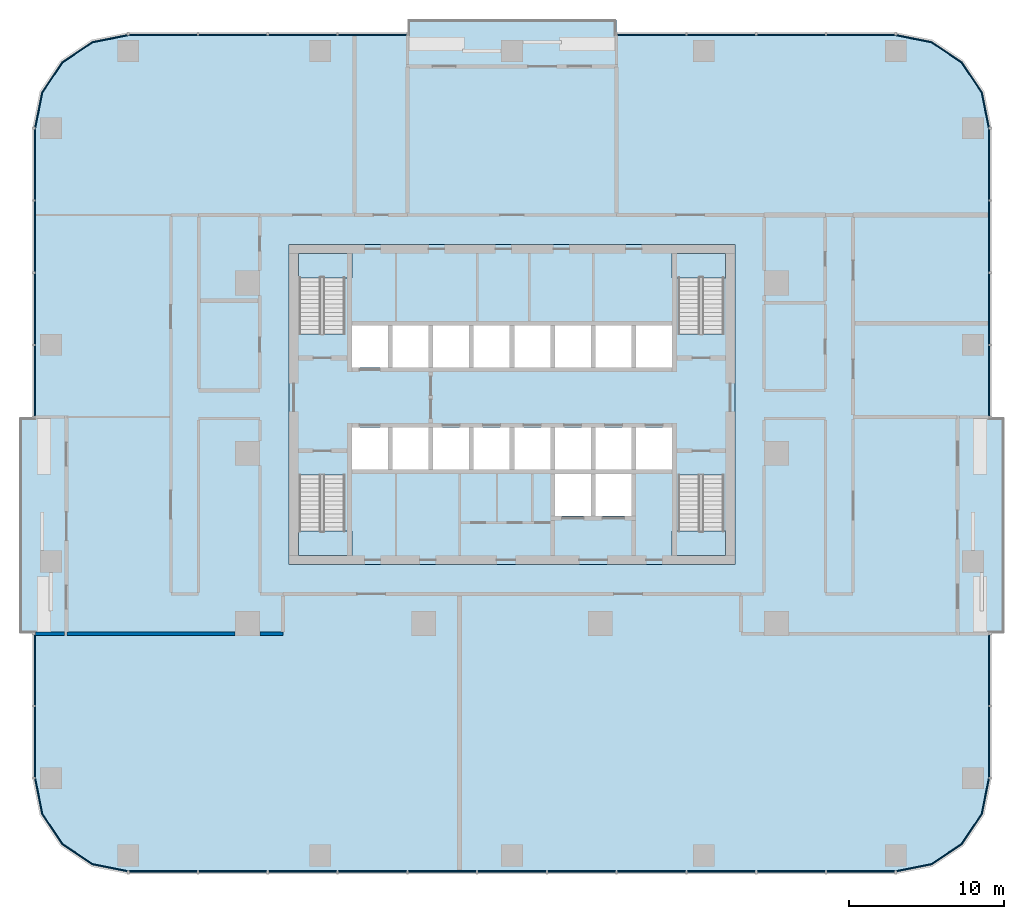
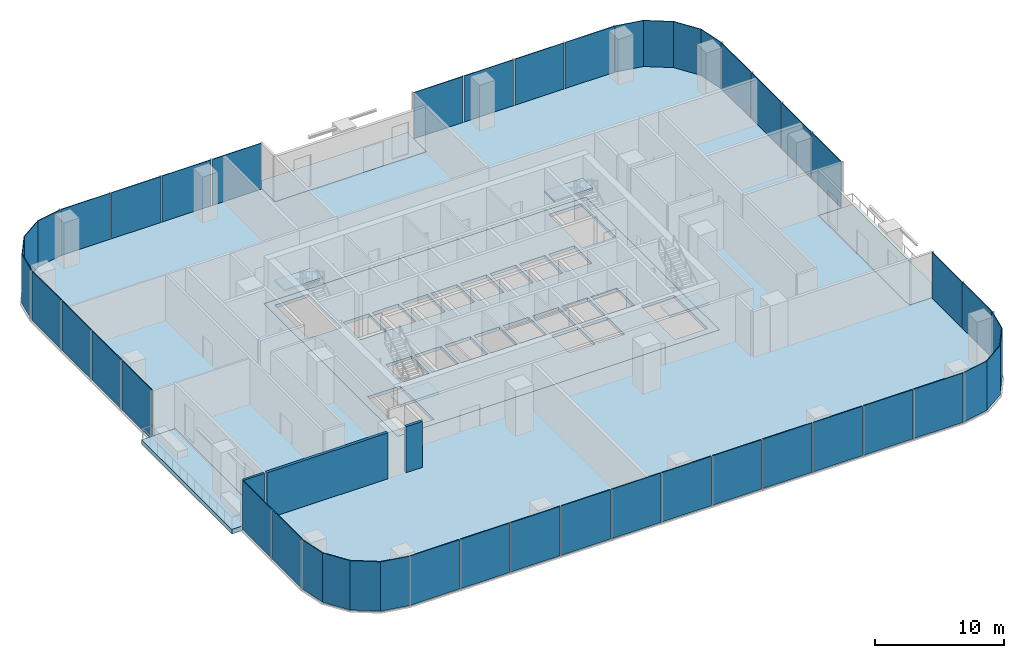
# One storey, part 6 of 14: 35 plates, 9 slabs, 3 walls, 15 elements without a shape of their own.
"""IFC4 building model written with IfcOpenShell, lengths in metres."""

from ifc_helpers import new_model, si_unit, direction, frame, frame_2d, origin, origin_2d, place, context, subcontext, project, spatial, polyline, rectangle, outline, extrude, material, layer, layer_set, type_object, element, aggregate, save


model = new_model("IFC4")

# Units and contexts
model_context = context("Model", 3, precision=1e-05, world=origin(), true_north=direction((0.0, 1.0)))
body_context = subcontext(model_context, "Body", "Model", "MODEL_VIEW")
ifc_project = project(units=[si_unit("LENGTHUNIT", "METRE"), si_unit("AREAUNIT", "SQUARE_METRE"), si_unit("VOLUMEUNIT", "CUBIC_METRE"), si_unit("PLANEANGLEUNIT", "RADIAN"), si_unit("MASSUNIT", "GRAM", prefix="KILO")], contexts=[model_context])

# Site, building, storey
site_placement = place(None, origin())
site = spatial("IfcSite", under=ifc_project, at=site_placement, CompositionType="ELEMENT")
building_placement = place(site_placement, origin())
building = spatial("IfcBuilding", under=site, at=building_placement, Name="Mopane Tessera Tower", CompositionType="ELEMENT")
storey_placement = place(building_placement, frame((0.0, 0.0, 50.199951171875)))
storey = spatial("IfcBuildingStorey", under=building, at=storey_placement, Name="L09", CompositionType="ELEMENT", Elevation=50.199951171875)

# Slab
ifc_material_1 = material(Name="Concrete C40/50", Category="concrete")
ifc_layer_1 = layer(ifc_material_1, 0.300048828125)
ifc_layer_set_1 = layer_set([ifc_layer_1], Name="Concrete C40/50")
slab_type_1 = type_object("IfcSlabType", Name="Core floor slab 300 mm", PredefinedType="FLOOR", material=ifc_layer_set_1)
slab_1_placement = place(storey_placement, frame((0.0, 0.0, -0.300048828125)))
element("IfcSlab", 1, at=slab_1_placement, inside=storey, type_object=slab_type_1, Name="L09 core floor slab", PredefinedType="FLOOR", context=body_context, shape_type="SweptSolid", body=[
    extrude(outline(polyline([(-14.39990234375, -7.199951171875), (14.39990234375, -7.199951171875), (14.39990234375, 13.5), (-14.39990234375, 13.5), (-14.39990234375, -7.199951171875)]), holes=[polyline([(-10.35009765625, -1.050048828125), (-8.02490234375, -1.050048828125), (-8.02490234375, 1.64990234375), (-10.35009765625, 1.64990234375), (-10.35009765625, -1.050048828125)]), polyline([(-7.72509765625, -1.050048828125), (-5.39990234375, -1.050048828125), (-5.39990234375, 1.64990234375), (-7.72509765625, 1.64990234375), (-7.72509765625, -1.050048828125)]), polyline([(-5.10009765625, -1.050048828125), (-2.77490234375, -1.050048828125), (-2.77490234375, 1.64990234375), (-5.10009765625, 1.64990234375), (-5.10009765625, -1.050048828125)]), polyline([(-2.47509765625, -1.050048828125), (-0.14990234375, -1.050048828125), (-0.14990234375, 1.64990234375), (-2.47509765625, 1.64990234375), (-2.47509765625, -1.050048828125)]), polyline([(0.14990234375, -1.050048828125), (2.47509765625, -1.050048828125), (2.47509765625, 1.64990234375), (0.14990234375, 1.64990234375), (0.14990234375, -1.050048828125)]), polyline([(2.77490234375, -1.050048828125), (5.10009765625, -1.050048828125), (5.10009765625, 1.64990234375), (2.77490234375, 1.64990234375), (2.77490234375, -1.050048828125)]), polyline([(5.39990234375, -1.050048828125), (7.72509765625, -1.050048828125), (7.72509765625, 1.64990234375), (5.39990234375, 1.64990234375), (5.39990234375, -1.050048828125)]), polyline([(8.02490234375, -1.050048828125), (10.35009765625, -1.050048828125), (10.35009765625, 1.64990234375), (8.02490234375, 1.64990234375), (8.02490234375, -1.050048828125)]), polyline([(-10.35009765625, 5.550048828125), (-8.02490234375, 5.550048828125), (-8.02490234375, 8.25), (-10.35009765625, 8.25), (-10.35009765625, 5.550048828125)]), polyline([(-7.72509765625, 5.550048828125), (-5.39990234375, 5.550048828125), (-5.39990234375, 8.25), (-7.72509765625, 8.25), (-7.72509765625, 5.550048828125)]), polyline([(-5.10009765625, 5.550048828125), (-2.77490234375, 5.550048828125), (-2.77490234375, 8.25), (-5.10009765625, 8.25), (-5.10009765625, 5.550048828125)]), polyline([(-2.47509765625, 5.550048828125), (-0.14990234375, 5.550048828125), (-0.14990234375, 8.25), (-2.47509765625, 8.25), (-2.47509765625, 5.550048828125)]), polyline([(0.14990234375, 5.550048828125), (2.47509765625, 5.550048828125), (2.47509765625, 8.25), (0.14990234375, 8.25), (0.14990234375, 5.550048828125)]), polyline([(2.77490234375, 5.550048828125), (5.10009765625, 5.550048828125), (5.10009765625, 8.25), (2.77490234375, 8.25), (2.77490234375, 5.550048828125)]), polyline([(5.39990234375, 5.550048828125), (7.72509765625, 5.550048828125), (7.72509765625, 8.25), (5.39990234375, 8.25), (5.39990234375, 5.550048828125)]), polyline([(8.02490234375, 5.550048828125), (10.35009765625, 5.550048828125), (10.35009765625, 8.25), (8.02490234375, 8.25), (8.02490234375, 5.550048828125)]), polyline([(2.77490234375, -4.050048828125), (5.10009765625, -4.050048828125), (5.10009765625, -1.35009765625), (2.77490234375, -1.35009765625), (2.77490234375, -4.050048828125)]), polyline([(5.39990234375, -4.050048828125), (7.72509765625, -4.050048828125), (7.72509765625, -1.35009765625), (5.39990234375, -1.35009765625), (5.39990234375, -4.050048828125)]), polyline([(-13.75, -1.405029296875), (-13.75, -6.60009765625), (-10.800048828125, -6.60009765625), (-10.800048828125, -1.405029296875), (-13.75, -1.405029296875)]), polyline([(-10.800048828125, 7.705078125), (-10.800048828125, 12.89990234375), (-13.75, 12.89990234375), (-13.75, 7.705078125), (-10.800048828125, 7.705078125)]), polyline([(10.75, -1.405029296875), (10.75, -6.60009765625), (13.699951171875, -6.60009765625), (13.699951171875, -1.405029296875), (10.75, -1.405029296875)]), polyline([(13.699951171875, 7.705078125), (13.699951171875, 12.89990234375), (10.75, 12.89990234375), (10.75, 7.705078125), (13.699951171875, 7.705078125)])]), origin(), (0.0, 0.0, 1.0), 0.300048828125),
])

# Stair, slab
ifc_material_2 = material(Name="Concrete C50/60", Category="concrete")
stair_type = type_object("IfcStairType", Name="Escape stair 1400 mm, riser 171 mm", PredefinedType="HALF_TURN_STAIR", material=ifc_material_2)
stair_1_placement = place(storey_placement, origin())
stair_1 = element("IfcStair", 2, at=stair_1_placement, inside=storey, type_object=stair_type, Name="L09 Escape stair south-west", PredefinedType="HALF_TURN_STAIR")
ifc_material_3 = material(Name="Concrete C50/60", Category="concrete")
ifc_layer_2 = layer(ifc_material_3, 0.199951171875)
ifc_layer_set_2 = layer_set([ifc_layer_2], Name="Concrete C50/60")
slab_type_2 = type_object("IfcSlabType", Name="Escape stair landing 200 mm", PredefinedType="LANDING", material=ifc_layer_set_2)
slab_2_placement = place(storey_placement, frame((0.0, 0.0, 2.199951171875)))
slab_2 = element("IfcSlab", 3, at=slab_2_placement, type_object=slab_type_2, Name="ST1 landing 1", PredefinedType="LANDING", context=body_context, shape_type="SweptSolid", body=[
    extrude(outline(polyline([(-13.800048828125, -5.0400390625), (-13.800048828125, -6.60009765625), (-10.35009765625, -6.60009765625), (-10.35009765625, -5.0400390625), (-13.800048828125, -5.0400390625)])), origin(), (0.0, 0.0, 1.0), 0.2001953125),
])
aggregate(stair_1, [slab_2])

stair_2_placement = place(storey_placement, origin())
stair_2 = element("IfcStair", 4, at=stair_2_placement, inside=storey, type_object=stair_type, Name="L09 Escape stair north-west", PredefinedType="HALF_TURN_STAIR")
slab_3_placement = place(storey_placement, frame((0.0, 0.0, 2.199951171875)))
slab_3 = element("IfcSlab", 5, at=slab_3_placement, type_object=slab_type_2, Name="ST2 landing 1", PredefinedType="LANDING", context=body_context, shape_type="SweptSolid", body=[
    extrude(outline(polyline([(-10.35009765625, 11.340087890625), (-10.35009765625, 12.89990234375), (-13.800048828125, 12.89990234375), (-13.800048828125, 11.340087890625), (-10.35009765625, 11.340087890625)])), origin(), (0.0, 0.0, 1.0), 0.2001953125),
])
aggregate(stair_2, [slab_3])

stair_3_placement = place(storey_placement, origin())
stair_3 = element("IfcStair", 6, at=stair_3_placement, inside=storey, type_object=stair_type, Name="L09 Escape stair south-east", PredefinedType="HALF_TURN_STAIR")
slab_4_placement = place(storey_placement, frame((0.0, 0.0, 2.199951171875)))
slab_4 = element("IfcSlab", 7, at=slab_4_placement, type_object=slab_type_2, Name="ST3 landing 1", PredefinedType="LANDING", context=body_context, shape_type="SweptSolid", body=[
    extrude(outline(polyline([(10.35009765625, -5.0400390625), (10.35009765625, -6.60009765625), (13.800048828125, -6.60009765625), (13.800048828125, -5.0400390625), (10.35009765625, -5.0400390625)])), origin(), (0.0, 0.0, 1.0), 0.2001953125),
])
aggregate(stair_3, [slab_4])

stair_4_placement = place(storey_placement, origin())
stair_4 = element("IfcStair", 8, at=stair_4_placement, inside=storey, type_object=stair_type, Name="L09 Escape stair north-east", PredefinedType="HALF_TURN_STAIR")
slab_5_placement = place(storey_placement, frame((0.0, 0.0, 2.199951171875)))
slab_5 = element("IfcSlab", 9, at=slab_5_placement, type_object=slab_type_2, Name="ST4 landing 1", PredefinedType="LANDING", context=body_context, shape_type="SweptSolid", body=[
    extrude(outline(polyline([(13.800048828125, 11.340087890625), (13.800048828125, 12.89990234375), (10.35009765625, 12.89990234375), (10.35009765625, 11.340087890625), (13.800048828125, 11.340087890625)])), origin(), (0.0, 0.0, 1.0), 0.2001953125),
])
aggregate(stair_4, [slab_5])

# Curtain wall, plates
ifc_material_4 = material(Name="Aluminium frame", Category="aluminium")
curtain_wall_type = type_object("IfcCurtainWallType", Name="Lower tower unitised wall", PredefinedType="NOTDEFINED", material=ifc_material_4)
curtain_wall_1_placement = place(storey_placement, origin())
curtain_wall_1 = element("IfcCurtainWall", 10, at=curtain_wall_1_placement, inside=storey, type_object=curtain_wall_type, Name="e:cw:L09:S:0", PredefinedType="NOTDEFINED")
ifc_material_5 = material(Name="Clear laminated glass", Category="glass")
ifc_layer_3 = layer(ifc_material_5, 0.070068359375)
ifc_layer_set_3 = layer_set([ifc_layer_3], Name="Clear laminated glass")
plate_type = type_object("IfcPlateType", Name="Laminated glazed unit 70", PredefinedType="CURTAIN_PANEL", material=ifc_layer_set_3)
plate_1_placement = place(storey_placement, frame((-22.54541015625, -27.034912109375, -0.31005859375), z_axis=(0.0, 0.0, 1.0), x_axis=(1.0, 0.0, 0.0)))
plate_1 = element("IfcPlate", 11, at=plate_1_placement, type_object=plate_type, Name="e:cw:L09:S:0:pn0", PredefinedType="CURTAIN_PANEL", context=body_context, shape_type="SweptSolid", body=[
    extrude(rectangle(XDim=4.399169921875, YDim=0.070068359375, at=origin_2d()), origin(), (0.0, 0.0, 1.0), 4.659912109375),
])
plate_2_placement = place(storey_placement, frame((-18.036376953125, -27.034912109375, -0.31005859375), z_axis=(0.0, 0.0, 1.0), x_axis=(1.0, 0.0, 0.0)))
plate_2 = element("IfcPlate", 12, at=plate_2_placement, type_object=plate_type, Name="e:cw:L09:S:0:pn1", PredefinedType="CURTAIN_PANEL", context=body_context, shape_type="SweptSolid", body=[
    extrude(rectangle(XDim=4.399169921875, YDim=0.070068359375, at=origin_2d()), origin(), (0.0, 0.0, 1.0), 4.659912109375),
])
plate_3_placement = place(storey_placement, frame((-13.52734375, -27.034912109375, -0.31005859375), z_axis=(0.0, 0.0, 1.0), x_axis=(1.0, 0.0, 0.0)))
plate_3 = element("IfcPlate", 13, at=plate_3_placement, type_object=plate_type, Name="e:cw:L09:S:0:pn2", PredefinedType="CURTAIN_PANEL", context=body_context, shape_type="SweptSolid", body=[
    extrude(rectangle(XDim=4.399169921875, YDim=0.070068359375, at=origin_2d()), origin(), (0.0, 0.0, 1.0), 4.659912109375),
])
plate_4_placement = place(storey_placement, frame((-9.01806640625, -27.034912109375, -0.31005859375), z_axis=(0.0, 0.0, 1.0), x_axis=(1.0, 0.0, 0.0)))
plate_4 = element("IfcPlate", 14, at=plate_4_placement, type_object=plate_type, Name="e:cw:L09:S:0:pn3", PredefinedType="CURTAIN_PANEL", context=body_context, shape_type="SweptSolid", body=[
    extrude(rectangle(XDim=4.399169921875, YDim=0.070068359375, at=origin_2d()), origin(), (0.0, 0.0, 1.0), 4.659912109375),
])
plate_5_placement = place(storey_placement, frame((-4.509033203125, -27.034912109375, -0.31005859375), z_axis=(0.0, 0.0, 1.0), x_axis=(1.0, 0.0, 0.0)))
plate_5 = element("IfcPlate", 15, at=plate_5_placement, type_object=plate_type, Name="e:cw:L09:S:0:pn4", PredefinedType="CURTAIN_PANEL", context=body_context, shape_type="SweptSolid", body=[
    extrude(rectangle(XDim=4.399169921875, YDim=0.070068359375, at=origin_2d()), origin(), (0.0, 0.0, 1.0), 4.659912109375),
])
plate_6_placement = place(storey_placement, frame((0.0, -27.034912109375, -0.31005859375), z_axis=(0.0, 0.0, 1.0), x_axis=(1.0, 0.0, 0.0)))
plate_6 = element("IfcPlate", 16, at=plate_6_placement, type_object=plate_type, Name="e:cw:L09:S:0:pn5", PredefinedType="CURTAIN_PANEL", context=body_context, shape_type="SweptSolid", body=[
    extrude(rectangle(XDim=4.399169921875, YDim=0.070068359375, at=origin_2d()), origin(), (0.0, 0.0, 1.0), 4.659912109375),
])
plate_7_placement = place(storey_placement, frame((4.509033203125, -27.034912109375, -0.31005859375), z_axis=(0.0, 0.0, 1.0), x_axis=(1.0, 0.0, 0.0)))
plate_7 = element("IfcPlate", 17, at=plate_7_placement, type_object=plate_type, Name="e:cw:L09:S:0:pn6", PredefinedType="CURTAIN_PANEL", context=body_context, shape_type="SweptSolid", body=[
    extrude(rectangle(XDim=4.399169921875, YDim=0.070068359375, at=origin_2d()), origin(), (0.0, 0.0, 1.0), 4.659912109375),
])
plate_8_placement = place(storey_placement, frame((9.01806640625, -27.034912109375, -0.31005859375), z_axis=(0.0, 0.0, 1.0), x_axis=(1.0, 0.0, 0.0)))
plate_8 = element("IfcPlate", 18, at=plate_8_placement, type_object=plate_type, Name="e:cw:L09:S:0:pn7", PredefinedType="CURTAIN_PANEL", context=body_context, shape_type="SweptSolid", body=[
    extrude(rectangle(XDim=4.399169921875, YDim=0.070068359375, at=origin_2d()), origin(), (0.0, 0.0, 1.0), 4.659912109375),
])
plate_9_placement = place(storey_placement, frame((13.52734375, -27.034912109375, -0.31005859375), z_axis=(0.0, 0.0, 1.0), x_axis=(1.0, 0.0, 0.0)))
plate_9 = element("IfcPlate", 19, at=plate_9_placement, type_object=plate_type, Name="e:cw:L09:S:0:pn8", PredefinedType="CURTAIN_PANEL", context=body_context, shape_type="SweptSolid", body=[
    extrude(rectangle(XDim=4.399169921875, YDim=0.070068359375, at=origin_2d()), origin(), (0.0, 0.0, 1.0), 4.659912109375),
])
plate_10_placement = place(storey_placement, frame((18.036376953125, -27.034912109375, -0.31005859375), z_axis=(0.0, 0.0, 1.0), x_axis=(1.0, 0.0, 0.0)))
plate_10 = element("IfcPlate", 20, at=plate_10_placement, type_object=plate_type, Name="e:cw:L09:S:0:pn9", PredefinedType="CURTAIN_PANEL", context=body_context, shape_type="SweptSolid", body=[
    extrude(rectangle(XDim=4.399169921875, YDim=0.070068359375, at=origin_2d()), origin(), (0.0, 0.0, 1.0), 4.659912109375),
])
plate_11_placement = place(storey_placement, frame((22.54541015625, -27.034912109375, -0.31005859375), z_axis=(0.0, 0.0, 1.0), x_axis=(1.0, 0.0, 0.0)))
plate_11 = element("IfcPlate", 21, at=plate_11_placement, type_object=plate_type, Name="e:cw:L09:S:0:pn10", PredefinedType="CURTAIN_PANEL", context=body_context, shape_type="SweptSolid", body=[
    extrude(rectangle(XDim=4.399169921875, YDim=0.070068359375, at=origin_2d()), origin(), (0.0, 0.0, 1.0), 4.659912109375),
])
aggregate(curtain_wall_1, [plate_1, plate_2, plate_3, plate_4, plate_5, plate_6, plate_7, plate_8, plate_9, plate_10, plate_11])

# Curtain wall, plate
curtain_wall_2_placement = place(storey_placement, origin())
curtain_wall_2 = element("IfcCurtainWall", 22, at=curtain_wall_2_placement, inside=storey, type_object=curtain_wall_type, Name="e:cw:L09:CS", PredefinedType="NOTDEFINED")
plate_12_placement = place(storey_placement, frame((0.0, 0.0, -0.31005859375)))
plate_12 = element("IfcPlate", 23, at=plate_12_placement, type_object=plate_type, Name="e:cw:L09:CS:pn", PredefinedType="CURTAIN_PANEL", context=body_context, shape_type="SweptSolid", body=[
    extrude(outline(polyline([(24.800048828125, -27.0), (27.09619140625, -26.543212890625), (29.042724609375, -25.24267578125), (30.34326171875, -23.296142578125), (30.800048828125, -21.0), (30.8701171875, -21.0), (30.407958984375, -23.322998046875), (29.092041015625, -25.292236328125), (27.122802734375, -26.60791015625), (24.800048828125, -27.070068359375), (24.800048828125, -27.0)])), origin(), (0.0, 0.0, 1.0), 4.66015625),
])
aggregate(curtain_wall_2, [plate_12])

# Curtain wall, plates
curtain_wall_3_placement = place(storey_placement, origin())
curtain_wall_3 = element("IfcCurtainWall", 24, at=curtain_wall_3_placement, inside=storey, type_object=curtain_wall_type, Name="e:cw:L09:E:0", PredefinedType="NOTDEFINED")
plate_13_placement = place(storey_placement, frame((30.8349609375, -18.666748046875, -0.31005859375), z_axis=(0.0, 0.0, 1.0), x_axis=(0.0, 1.0, 0.0)))
plate_13 = element("IfcPlate", 25, at=plate_13_placement, type_object=plate_type, Name="e:cw:L09:E:0:pn0", PredefinedType="CURTAIN_PANEL", context=body_context, shape_type="SweptSolid", body=[
    extrude(rectangle(XDim=4.556640625, YDim=0.070068359375, at=origin_2d()), origin(), (0.0, 0.0, 1.0), 4.659912109375),
])
plate_14_placement = place(storey_placement, frame((30.8349609375, -14.0, -0.31005859375), z_axis=(0.0, 0.0, 1.0), x_axis=(0.0, 1.0, 0.0)))
plate_14 = element("IfcPlate", 26, at=plate_14_placement, type_object=plate_type, Name="e:cw:L09:E:0:pn1", PredefinedType="CURTAIN_PANEL", context=body_context, shape_type="SweptSolid", body=[
    extrude(rectangle(XDim=4.556640625, YDim=0.070068359375, at=origin_2d()), origin(), (0.0, 0.0, 1.0), 4.659912109375),
])
aggregate(curtain_wall_3, [plate_13, plate_14])

curtain_wall_4_placement = place(storey_placement, origin())
curtain_wall_4 = element("IfcCurtainWall", 27, at=curtain_wall_4_placement, inside=storey, type_object=curtain_wall_type, Name="e:cw:L09:E:5", PredefinedType="NOTDEFINED")
plate_15_placement = place(storey_placement, frame((30.8349609375, 4.666748046875, -0.31005859375), z_axis=(0.0, 0.0, 1.0), x_axis=(0.0, 1.0, 0.0)))
plate_15 = element("IfcPlate", 28, at=plate_15_placement, type_object=plate_type, Name="e:cw:L09:E:5:pn5", PredefinedType="CURTAIN_PANEL", context=body_context, shape_type="SweptSolid", body=[
    extrude(rectangle(XDim=4.556640625, YDim=0.070068359375, at=origin_2d()), origin(), (0.0, 0.0, 1.0), 4.659912109375),
])
plate_16_placement = place(storey_placement, frame((30.8349609375, 9.333251953125, -0.31005859375), z_axis=(0.0, 0.0, 1.0), x_axis=(0.0, 1.0, 0.0)))
plate_16 = element("IfcPlate", 29, at=plate_16_placement, type_object=plate_type, Name="e:cw:L09:E:5:pn6", PredefinedType="CURTAIN_PANEL", context=body_context, shape_type="SweptSolid", body=[
    extrude(rectangle(XDim=4.556640625, YDim=0.070068359375, at=origin_2d()), origin(), (0.0, 0.0, 1.0), 4.659912109375),
])
plate_17_placement = place(storey_placement, frame((30.8349609375, 14.0, -0.31005859375), z_axis=(0.0, 0.0, 1.0), x_axis=(0.0, 1.0, 0.0)))
plate_17 = element("IfcPlate", 30, at=plate_17_placement, type_object=plate_type, Name="e:cw:L09:E:5:pn7", PredefinedType="CURTAIN_PANEL", context=body_context, shape_type="SweptSolid", body=[
    extrude(rectangle(XDim=4.556640625, YDim=0.070068359375, at=origin_2d()), origin(), (0.0, 0.0, 1.0), 4.659912109375),
])
plate_18_placement = place(storey_placement, frame((30.8349609375, 18.666748046875, -0.31005859375), z_axis=(0.0, 0.0, 1.0), x_axis=(0.0, 1.0, 0.0)))
plate_18 = element("IfcPlate", 31, at=plate_18_placement, type_object=plate_type, Name="e:cw:L09:E:5:pn8", PredefinedType="CURTAIN_PANEL", context=body_context, shape_type="SweptSolid", body=[
    extrude(rectangle(XDim=4.556640625, YDim=0.070068359375, at=origin_2d()), origin(), (0.0, 0.0, 1.0), 4.659912109375),
])
aggregate(curtain_wall_4, [plate_15, plate_16, plate_17, plate_18])

# Curtain wall, plate
curtain_wall_5_placement = place(storey_placement, origin())
curtain_wall_5 = element("IfcCurtainWall", 32, at=curtain_wall_5_placement, inside=storey, type_object=curtain_wall_type, Name="e:cw:L09:CE", PredefinedType="NOTDEFINED")
plate_19_placement = place(storey_placement, frame((0.0, 0.0, -0.31005859375)))
plate_19 = element("IfcPlate", 33, at=plate_19_placement, type_object=plate_type, Name="e:cw:L09:CE:pn", PredefinedType="CURTAIN_PANEL", context=body_context, shape_type="SweptSolid", body=[
    extrude(outline(polyline([(30.800048828125, 21.0), (30.34326171875, 23.296142578125), (29.042724609375, 25.24267578125), (27.09619140625, 26.543212890625), (24.800048828125, 27.0), (24.800048828125, 27.070068359375), (27.122802734375, 26.60791015625), (29.092041015625, 25.292236328125), (30.407958984375, 23.322998046875), (30.8701171875, 21.0), (30.800048828125, 21.0)])), origin(), (0.0, 0.0, 1.0), 4.66015625),
])
aggregate(curtain_wall_5, [plate_19])

# Curtain wall, plates
curtain_wall_6_placement = place(storey_placement, origin())
curtain_wall_6 = element("IfcCurtainWall", 34, at=curtain_wall_6_placement, inside=storey, type_object=curtain_wall_type, Name="e:cw:L09:N:0", PredefinedType="NOTDEFINED")
plate_20_placement = place(storey_placement, frame((22.54541015625, 27.034912109375, -0.31005859375), z_axis=(0.0, 0.0, 1.0), x_axis=(-1.0, 0.0, 0.0)))
plate_20 = element("IfcPlate", 35, at=plate_20_placement, type_object=plate_type, Name="e:cw:L09:N:0:pn0", PredefinedType="CURTAIN_PANEL", context=body_context, shape_type="SweptSolid", body=[
    extrude(rectangle(XDim=4.399169921875, YDim=0.070068359375, at=origin_2d()), origin(), (0.0, 0.0, 1.0), 4.659912109375),
])
plate_21_placement = place(storey_placement, frame((18.036376953125, 27.034912109375, -0.31005859375), z_axis=(0.0, 0.0, 1.0), x_axis=(-1.0, 0.0, 0.0)))
plate_21 = element("IfcPlate", 36, at=plate_21_placement, type_object=plate_type, Name="e:cw:L09:N:0:pn1", PredefinedType="CURTAIN_PANEL", context=body_context, shape_type="SweptSolid", body=[
    extrude(rectangle(XDim=4.399169921875, YDim=0.070068359375, at=origin_2d()), origin(), (0.0, 0.0, 1.0), 4.659912109375),
])
plate_22_placement = place(storey_placement, frame((13.52734375, 27.034912109375, -0.31005859375), z_axis=(0.0, 0.0, 1.0), x_axis=(-1.0, 0.0, 0.0)))
plate_22 = element("IfcPlate", 37, at=plate_22_placement, type_object=plate_type, Name="e:cw:L09:N:0:pn2", PredefinedType="CURTAIN_PANEL", context=body_context, shape_type="SweptSolid", body=[
    extrude(rectangle(XDim=4.399169921875, YDim=0.070068359375, at=origin_2d()), origin(), (0.0, 0.0, 1.0), 4.659912109375),
])
plate_23_placement = place(storey_placement, frame((9.01806640625, 27.034912109375, -0.31005859375), z_axis=(0.0, 0.0, 1.0), x_axis=(-1.0, 0.0, 0.0)))
plate_23 = element("IfcPlate", 38, at=plate_23_placement, type_object=plate_type, Name="e:cw:L09:N:0:pn3", PredefinedType="CURTAIN_PANEL", context=body_context, shape_type="SweptSolid", body=[
    extrude(rectangle(XDim=4.399169921875, YDim=0.070068359375, at=origin_2d()), origin(), (0.0, 0.0, 1.0), 4.659912109375),
])
aggregate(curtain_wall_6, [plate_20, plate_21, plate_22, plate_23])

curtain_wall_7_placement = place(storey_placement, origin())
curtain_wall_7 = element("IfcCurtainWall", 39, at=curtain_wall_7_placement, inside=storey, type_object=curtain_wall_type, Name="e:cw:L09:N:7", PredefinedType="NOTDEFINED")
plate_24_placement = place(storey_placement, frame((-9.01806640625, 27.034912109375, -0.31005859375), z_axis=(0.0, 0.0, 1.0), x_axis=(-1.0, 0.0, 0.0)))
plate_24 = element("IfcPlate", 40, at=plate_24_placement, type_object=plate_type, Name="e:cw:L09:N:7:pn7", PredefinedType="CURTAIN_PANEL", context=body_context, shape_type="SweptSolid", body=[
    extrude(rectangle(XDim=4.399169921875, YDim=0.070068359375, at=origin_2d()), origin(), (0.0, 0.0, 1.0), 4.659912109375),
])
plate_25_placement = place(storey_placement, frame((-13.52734375, 27.034912109375, -0.31005859375), z_axis=(0.0, 0.0, 1.0), x_axis=(-1.0, 0.0, 0.0)))
plate_25 = element("IfcPlate", 41, at=plate_25_placement, type_object=plate_type, Name="e:cw:L09:N:7:pn8", PredefinedType="CURTAIN_PANEL", context=body_context, shape_type="SweptSolid", body=[
    extrude(rectangle(XDim=4.399169921875, YDim=0.070068359375, at=origin_2d()), origin(), (0.0, 0.0, 1.0), 4.659912109375),
])
plate_26_placement = place(storey_placement, frame((-18.036376953125, 27.034912109375, -0.31005859375), z_axis=(0.0, 0.0, 1.0), x_axis=(-1.0, 0.0, 0.0)))
plate_26 = element("IfcPlate", 42, at=plate_26_placement, type_object=plate_type, Name="e:cw:L09:N:7:pn9", PredefinedType="CURTAIN_PANEL", context=body_context, shape_type="SweptSolid", body=[
    extrude(rectangle(XDim=4.399169921875, YDim=0.070068359375, at=origin_2d()), origin(), (0.0, 0.0, 1.0), 4.659912109375),
])
plate_27_placement = place(storey_placement, frame((-22.54541015625, 27.034912109375, -0.31005859375), z_axis=(0.0, 0.0, 1.0), x_axis=(-1.0, 0.0, 0.0)))
plate_27 = element("IfcPlate", 43, at=plate_27_placement, type_object=plate_type, Name="e:cw:L09:N:7:pn10", PredefinedType="CURTAIN_PANEL", context=body_context, shape_type="SweptSolid", body=[
    extrude(rectangle(XDim=4.399169921875, YDim=0.070068359375, at=origin_2d()), origin(), (0.0, 0.0, 1.0), 4.659912109375),
])
aggregate(curtain_wall_7, [plate_24, plate_25, plate_26, plate_27])

# Curtain wall, plate
curtain_wall_8_placement = place(storey_placement, origin())
curtain_wall_8 = element("IfcCurtainWall", 44, at=curtain_wall_8_placement, inside=storey, type_object=curtain_wall_type, Name="e:cw:L09:CN", PredefinedType="NOTDEFINED")
plate_28_placement = place(storey_placement, frame((0.0, 0.0, -0.31005859375)))
plate_28 = element("IfcPlate", 45, at=plate_28_placement, type_object=plate_type, Name="e:cw:L09:CN:pn", PredefinedType="CURTAIN_PANEL", context=body_context, shape_type="SweptSolid", body=[
    extrude(outline(polyline([(-24.800048828125, 27.0), (-27.09619140625, 26.543212890625), (-29.042724609375, 25.24267578125), (-30.34326171875, 23.296142578125), (-30.800048828125, 21.0), (-30.8701171875, 21.0), (-30.407958984375, 23.322998046875), (-29.092041015625, 25.292236328125), (-27.122802734375, 26.60791015625), (-24.800048828125, 27.070068359375), (-24.800048828125, 27.0)])), origin(), (0.0, 0.0, 1.0), 4.66015625),
])
aggregate(curtain_wall_8, [plate_28])

# Curtain wall, plates
curtain_wall_9_placement = place(storey_placement, origin())
curtain_wall_9 = element("IfcCurtainWall", 46, at=curtain_wall_9_placement, inside=storey, type_object=curtain_wall_type, Name="e:cw:L09:W:0", PredefinedType="NOTDEFINED")
plate_29_placement = place(storey_placement, frame((-30.8349609375, 18.666748046875, -0.31005859375), z_axis=(0.0, 0.0, 1.0), x_axis=(0.0, -1.0, 0.0)))
plate_29 = element("IfcPlate", 47, at=plate_29_placement, type_object=plate_type, Name="e:cw:L09:W:0:pn0", PredefinedType="CURTAIN_PANEL", context=body_context, shape_type="SweptSolid", body=[
    extrude(rectangle(XDim=4.556640625, YDim=0.070068359375, at=origin_2d()), origin(), (0.0, 0.0, 1.0), 4.659912109375),
])
plate_30_placement = place(storey_placement, frame((-30.8349609375, 14.0, -0.31005859375), z_axis=(0.0, 0.0, 1.0), x_axis=(0.0, -1.0, 0.0)))
plate_30 = element("IfcPlate", 48, at=plate_30_placement, type_object=plate_type, Name="e:cw:L09:W:0:pn1", PredefinedType="CURTAIN_PANEL", context=body_context, shape_type="SweptSolid", body=[
    extrude(rectangle(XDim=4.556640625, YDim=0.070068359375, at=origin_2d()), origin(), (0.0, 0.0, 1.0), 4.659912109375),
])
plate_31_placement = place(storey_placement, frame((-30.8349609375, 9.333251953125, -0.31005859375), z_axis=(0.0, 0.0, 1.0), x_axis=(0.0, -1.0, 0.0)))
plate_31 = element("IfcPlate", 49, at=plate_31_placement, type_object=plate_type, Name="e:cw:L09:W:0:pn2", PredefinedType="CURTAIN_PANEL", context=body_context, shape_type="SweptSolid", body=[
    extrude(rectangle(XDim=4.556640625, YDim=0.070068359375, at=origin_2d()), origin(), (0.0, 0.0, 1.0), 4.659912109375),
])
plate_32_placement = place(storey_placement, frame((-30.8349609375, 4.666748046875, -0.31005859375), z_axis=(0.0, 0.0, 1.0), x_axis=(0.0, -1.0, 0.0)))
plate_32 = element("IfcPlate", 50, at=plate_32_placement, type_object=plate_type, Name="e:cw:L09:W:0:pn3", PredefinedType="CURTAIN_PANEL", context=body_context, shape_type="SweptSolid", body=[
    extrude(rectangle(XDim=4.556640625, YDim=0.070068359375, at=origin_2d()), origin(), (0.0, 0.0, 1.0), 4.659912109375),
])
aggregate(curtain_wall_9, [plate_29, plate_30, plate_31, plate_32])

curtain_wall_10_placement = place(storey_placement, origin())
curtain_wall_10 = element("IfcCurtainWall", 51, at=curtain_wall_10_placement, inside=storey, type_object=curtain_wall_type, Name="e:cw:L09:W:7", PredefinedType="NOTDEFINED")
plate_33_placement = place(storey_placement, frame((-30.8349609375, -14.0, -0.31005859375), z_axis=(0.0, 0.0, 1.0), x_axis=(0.0, -1.0, 0.0)))
plate_33 = element("IfcPlate", 52, at=plate_33_placement, type_object=plate_type, Name="e:cw:L09:W:7:pn7", PredefinedType="CURTAIN_PANEL", context=body_context, shape_type="SweptSolid", body=[
    extrude(rectangle(XDim=4.556640625, YDim=0.070068359375, at=origin_2d()), origin(), (0.0, 0.0, 1.0), 4.659912109375),
])
plate_34_placement = place(storey_placement, frame((-30.8349609375, -18.666748046875, -0.31005859375), z_axis=(0.0, 0.0, 1.0), x_axis=(0.0, -1.0, 0.0)))
plate_34 = element("IfcPlate", 53, at=plate_34_placement, type_object=plate_type, Name="e:cw:L09:W:7:pn8", PredefinedType="CURTAIN_PANEL", context=body_context, shape_type="SweptSolid", body=[
    extrude(rectangle(XDim=4.556640625, YDim=0.070068359375, at=origin_2d()), origin(), (0.0, 0.0, 1.0), 4.659912109375),
])
aggregate(curtain_wall_10, [plate_33, plate_34])

# Curtain wall, plate
curtain_wall_11_placement = place(storey_placement, origin())
curtain_wall_11 = element("IfcCurtainWall", 54, at=curtain_wall_11_placement, inside=storey, type_object=curtain_wall_type, Name="e:cw:L09:CW", PredefinedType="NOTDEFINED")
plate_35_placement = place(storey_placement, frame((0.0, 0.0, -0.31005859375)))
plate_35 = element("IfcPlate", 55, at=plate_35_placement, type_object=plate_type, Name="e:cw:L09:CW:pn", PredefinedType="CURTAIN_PANEL", context=body_context, shape_type="SweptSolid", body=[
    extrude(outline(polyline([(-30.800048828125, -21.0), (-30.34326171875, -23.296142578125), (-29.042724609375, -25.24267578125), (-27.09619140625, -26.543212890625), (-24.800048828125, -27.0), (-24.800048828125, -27.070068359375), (-27.122802734375, -26.60791015625), (-29.092041015625, -25.292236328125), (-30.407958984375, -23.322998046875), (-30.8701171875, -21.0), (-30.800048828125, -21.0)])), origin(), (0.0, 0.0, 1.0), 4.66015625),
])
aggregate(curtain_wall_11, [plate_35])

# Slabs
ifc_material_6 = material(Name="Concrete C40/50", Category="concrete")
ifc_layer_4 = layer(ifc_material_6, 0.449951171875)
ifc_layer_set_4 = layer_set([ifc_layer_4], Name="Concrete C40/50")
slab_type_3 = type_object("IfcSlabType", Name="Planted terrace slab 450 mm", PredefinedType="FLOOR", material=ifc_layer_set_4)
slab_6_placement = place(storey_placement, frame((0.0, 0.0, -0.449951171875)))
element("IfcSlab", 56, at=slab_6_placement, inside=storey, type_object=slab_type_3, Name="Terrace slab N1 L09", PredefinedType="FLOOR", context=body_context, shape_type="SweptSolid", body=[
    extrude(outline(polyline([(31.800048828125, 2.333251953125), (28.800048828125, 2.333251953125), (28.800048828125, -11.666748046875), (31.800048828125, -11.666748046875), (31.800048828125, 2.333251953125)])), origin(), (0.0, 0.0, 1.0), 0.449951171875),
])
slab_7_placement = place(storey_placement, frame((0.0, 0.0, -0.449951171875)))
element("IfcSlab", 57, at=slab_7_placement, inside=storey, type_object=slab_type_3, Name="Terrace slab N2 L09", PredefinedType="FLOOR", context=body_context, shape_type="SweptSolid", body=[
    extrude(outline(polyline([(-6.763671875, 28.0), (-6.763671875, 25.0), (6.763671875, 25.0), (6.763671875, 28.0), (-6.763671875, 28.0)])), origin(), (0.0, 0.0, 1.0), 0.449951171875),
])
slab_8_placement = place(storey_placement, frame((0.0, 0.0, -0.449951171875)))
element("IfcSlab", 58, at=slab_8_placement, inside=storey, type_object=slab_type_3, Name="Terrace slab N3 L09", PredefinedType="FLOOR", context=body_context, shape_type="SweptSolid", body=[
    extrude(outline(polyline([(-31.800048828125, -11.666748046875), (-28.800048828125, -11.666748046875), (-28.800048828125, 2.333251953125), (-31.800048828125, 2.333251953125), (-31.800048828125, -11.666748046875)])), origin(), (0.0, 0.0, 1.0), 0.449951171875),
])
ifc_material_7 = material(Name="Concrete C40/50", Category="concrete")
ifc_layer_5 = layer(ifc_material_7, 0.449951171875)
ifc_layer_set_5 = layer_set([ifc_layer_5], Name="Concrete C40/50")
slab_type_4 = type_object("IfcSlabType", Name="Post-tensioned flat plate 450 mm", PredefinedType="FLOOR", material=ifc_layer_set_5)
slab_9_placement = place(storey_placement, frame((0.0, 0.0, -0.449951171875)))
element("IfcSlab", 59, at=slab_9_placement, inside=storey, type_object=slab_type_4, Name="Floor slab L09", PredefinedType="FLOOR", context=body_context, shape_type="SweptSolid", body=[
    extrude(outline(polyline([(30.800048828125, -21.0), (30.800048828125, -11.666748046875), (28.800048828125, -11.666748046875), (28.800048828125, 2.333251953125), (30.800048828125, 2.333251953125), (30.800048828125, 21.0), (30.34326171875, 23.296142578125), (29.042724609375, 25.24267578125), (27.09619140625, 26.543212890625), (24.800048828125, 27.0), (6.763671875, 27.0), (6.763671875, 25.0), (-6.763671875, 25.0), (-6.763671875, 27.0), (-24.800048828125, 27.0), (-27.09619140625, 26.543212890625), (-29.042724609375, 25.24267578125), (-30.34326171875, 23.296142578125), (-30.800048828125, 21.0), (-30.800048828125, 2.333251953125), (-28.800048828125, 2.333251953125), (-28.800048828125, -11.666748046875), (-30.800048828125, -11.666748046875), (-30.800048828125, -21.0), (-30.34326171875, -23.296142578125), (-29.042724609375, -25.24267578125), (-27.09619140625, -26.543212890625), (-24.800048828125, -27.0), (24.800048828125, -27.0), (27.09619140625, -26.543212890625), (29.042724609375, -25.24267578125), (30.34326171875, -23.296142578125), (30.800048828125, -21.0)]), holes=[polyline([(14.39990234375, -7.199951171875), (-14.39990234375, -7.199951171875), (-14.39990234375, 13.5), (14.39990234375, 13.5), (14.39990234375, -7.199951171875)])]), origin(), (0.0, 0.0, 1.0), 0.449951171875),
])

# Walls
ifc_material_8 = material(Name="Plastered concrete blockwork C20/25", Category="masonry")
ifc_layer_6 = layer(ifc_material_8, 0.25)
ifc_layer_set_6 = layer_set([ifc_layer_6], Name="Plastered concrete blockwork C20/25")
wall_type_1 = type_object("IfcWallType", Name="Plastered blockwork wall 250, rated EI 120", PredefinedType="PARTITIONING", material=ifc_layer_set_6)
wall_1_placement = place(storey_placement, frame((-28.75, -11.6650390625, 0.0), z_axis=(0.0, 0.0, 1.0), x_axis=(1.0, 0.0, 0.0)))
element("IfcWall", 60, at=wall_1_placement, inside=storey, type_object=wall_type_1, Name="Partition L09:000", PredefinedType="PARTITIONING", context=body_context, shape_type="SweptSolid", body=[
    extrude(rectangle(XDim=10.85009765625, YDim=0.25, at=frame_2d((5.425048828125, 0.0))), origin(), (0.0, 0.0, 1.0), 4.35009765625),
])
wall_2_placement = place(storey_placement, frame((-16.300048828125, -11.6650390625, 0.0), z_axis=(0.0, 0.0, 1.0), x_axis=(1.0, 0.0, 0.0)))
element("IfcWall", 61, at=wall_2_placement, inside=storey, type_object=wall_type_1, Name="Partition L09:001", PredefinedType="PARTITIONING", context=body_context, shape_type="SweptSolid", body=[
    extrude(rectangle(XDim=1.5, YDim=0.25, at=frame_2d((0.75, 0.0))), origin(), (0.0, 0.0, 1.0), 4.35009765625),
])
ifc_material_9 = material(Name="Blockwork with glazed tile facing", Category="masonry")
ifc_layer_7 = layer(ifc_material_9, 0.199951171875)
ifc_layer_set_7 = layer_set([ifc_layer_7], Name="Blockwork with glazed tile facing")
wall_type_2 = type_object("IfcWallType", Name="Terrace cheek wall 200", PredefinedType="STANDARD", material=ifc_layer_set_7)
wall_3_placement = place(storey_placement, frame((-30.800048828125, -11.666748046875, 0.0), z_axis=(0.0, 0.0, 1.0), x_axis=(1.0, 0.0, 0.0)))
element("IfcWall", 62, at=wall_3_placement, inside=storey, type_object=wall_type_2, Name="e:nw:L09:N3:cheekb", PredefinedType="STANDARD", context=body_context, shape_type="SweptSolid", body=[
    extrude(rectangle(XDim=1.875, YDim=0.199951171875, at=frame_2d((0.9375, 0.0))), origin(), (0.0, 0.0, 1.0), 4.35009765625),
])

save(model, "model.ifc")
